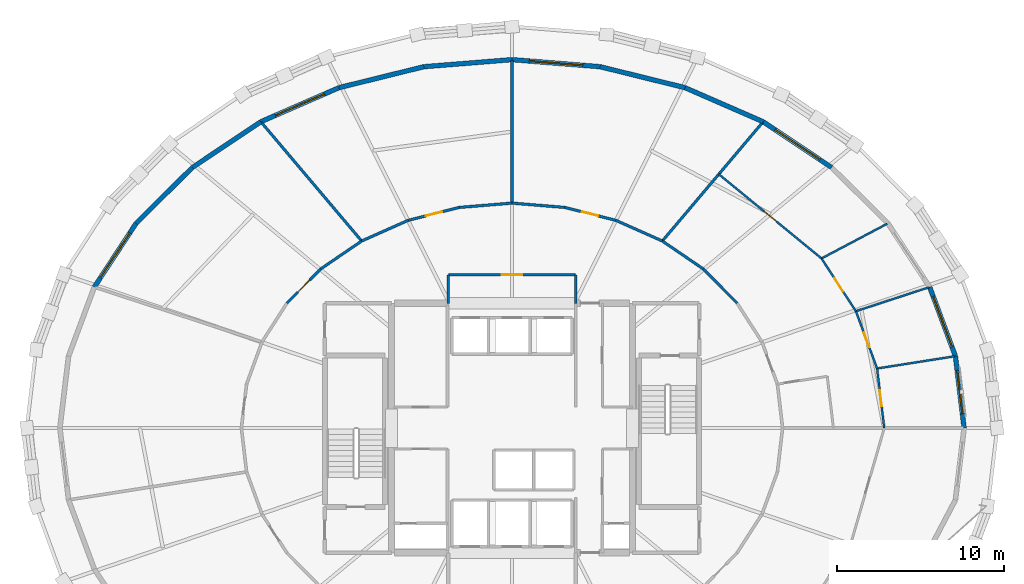
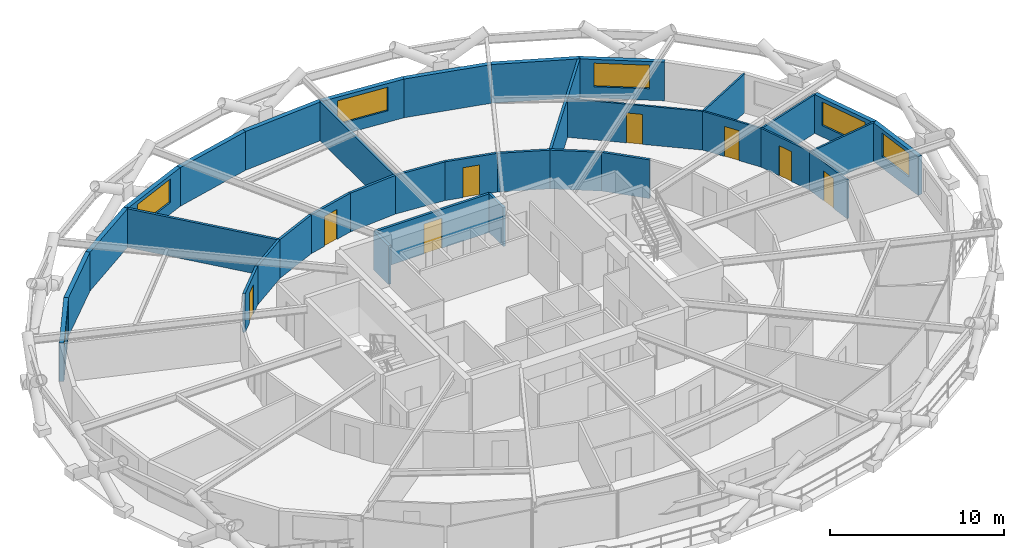
# One storey, part 18 of 21: 35 walls, 8 doors, 6 windows, 14 openings.
"""IFC4 building model written with IfcOpenShell, lengths in metres."""

from ifc_helpers import new_model, si_unit, direction, frame, frame_2d, origin, place, context, subcontext, project, spatial, rectangle, extrude, material, layer, layer_set, type_object, element, fill, save


model = new_model("IFC4")

# Units and contexts
model_context = context("Model", 3, precision=1e-05, world=origin(), true_north=direction((0.0, 1.0)))
body_context = subcontext(model_context, "Body", "Model", "MODEL_VIEW")
ifc_project = project(units=[si_unit("LENGTHUNIT", "METRE"), si_unit("AREAUNIT", "SQUARE_METRE"), si_unit("VOLUMEUNIT", "CUBIC_METRE"), si_unit("PLANEANGLEUNIT", "RADIAN"), si_unit("MASSUNIT", "GRAM", prefix="KILO")], contexts=[model_context])

# Site, building, storey
site_placement = place(None, origin())
site = spatial("IfcSite", under=ifc_project, at=site_placement, CompositionType="ELEMENT")
building_placement = place(site_placement, origin())
building = spatial("IfcBuilding", under=site, at=building_placement, Name="Veldorina Hangang Commons", CompositionType="ELEMENT")
storey_placement = place(building_placement, frame((0.0, 0.0, 73.60009765625)))
storey = spatial("IfcBuildingStorey", under=building, at=storey_placement, Name="L18", CompositionType="ELEMENT", Elevation=73.60009765625)

# Wall, opening, window
ifc_material_1 = material(Name="Stone Roman Travertine", Category="masonry")
ifc_layer_1 = layer(ifc_material_1, 0.280029296875)
ifc_layer_set_1 = layer_set([ifc_layer_1], Name="Stone Roman Travertine")
wall_type_1 = type_object("IfcWallType", Name="EW-TRAV-280", PredefinedType="STANDARD", material=ifc_layer_set_1)
wall_1_placement = place(storey_placement, frame((59.00244140625, 24.0, 0.0), z_axis=(0.0, 0.0, 1.0), x_axis=(-0.119989041881, 0.992775216164, 0.0)))
wall_1 = element("IfcWall", 1, at=wall_1_placement, inside=storey, type_object=wall_type_1, Name="L18 travertine facade wall 00", PredefinedType="STANDARD", context=body_context, shape_type="SweptSolid", body=[
    extrude(rectangle(XDim=4.32373046875, YDim=0.280029296875, at=frame_2d((2.161865234375, 0.0))), origin(), (0.0, 0.0, 1.0), 2.7099609375),
])
opening_1_placement = place(wall_1_placement, frame((0.86181640625, 0.0, 0.800048828125)))
opening_1 = element("IfcOpeningElement", 2, at=opening_1_placement, cuts=wall_1, Name="Opening W-02", PredefinedType="OPENING", context=body_context, shape_type="SweptSolid", body=[
    extrude(rectangle(XDim=2.60009765625, YDim=1.64990234375, at=frame_2d((1.300048828125, 0.824951171875))), frame((0.0, 0.14990234375, 0.0), z_axis=(0.0, -1.0, 0.0), x_axis=(1.0, 0.0, 0.0)), (0.0, 0.0, 1.0), 0.300048828125),
])
ifc_material_2 = material(Name="Glass Low-E Triple IGU", Category="glass")
window_type_1 = type_object("IfcWindowType", Name="WIN-TWR-2600", PartitioningType="SINGLE_PANEL", PredefinedType="WINDOW", material=ifc_material_2)
window_1_placement = place(opening_1_placement, origin())
window_1 = element("IfcWindow", 3, at=window_1_placement, inside=storey, type_object=window_type_1, Name="L18 facade window 00", OverallHeight=1.64990234375, OverallWidth=2.60009765625, PartitioningType="SINGLE_PANEL", PredefinedType="WINDOW", context=body_context, shape_type="SweptSolid", body=[
    extrude(rectangle(XDim=2.60009765625, YDim=1.64990234375, at=frame_2d((1.300048828125, 0.824951171875))), frame((0.0, 0.030029296875, 0.0), z_axis=(0.0, -1.0, 0.0), x_axis=(1.0, 0.0, 0.0)), (0.0, 0.0, 1.0), 0.06005859375),
])
fill(opening_1, window_1)

wall_2_placement = place(storey_placement, frame((58.483642578125, 28.29248046875, 0.0), z_axis=(0.0, 0.0, 1.0), x_axis=(-0.348899033007, 0.937160319672, 0.0)))
wall_2 = element("IfcWall", 4, at=wall_2_placement, inside=storey, type_object=wall_type_1, Name="L18 travertine facade wall 01", PredefinedType="STANDARD", context=body_context, shape_type="SweptSolid", body=[
    extrude(rectangle(XDim=4.404296875, YDim=0.280029296875, at=frame_2d((2.2021484375, 0.0))), origin(), (0.0, 0.0, 1.0), 2.7099609375),
])
opening_2_placement = place(wall_2_placement, frame((0.60205078125, 0.0, 0.800048828125)))
opening_2 = element("IfcOpeningElement", 5, at=opening_2_placement, cuts=wall_2, Name="Opening W-01", PredefinedType="OPENING", context=body_context, shape_type="SweptSolid", body=[
    extrude(rectangle(XDim=3.199951171875, YDim=1.64990234375, at=frame_2d((1.60009765625, 0.824951171875))), frame((0.0, 0.14990234375, 0.0), z_axis=(0.0, -1.0, 0.0), x_axis=(1.0, 0.0, 0.0)), (0.0, 0.0, 1.0), 0.300048828125),
])
window_type_2 = type_object("IfcWindowType", Name="WIN-TWR-3200", PartitioningType="SINGLE_PANEL", PredefinedType="WINDOW", material=ifc_material_2)
window_2_placement = place(opening_2_placement, origin())
window_2 = element("IfcWindow", 6, at=window_2_placement, inside=storey, type_object=window_type_2, Name="L18 facade window 01", OverallHeight=1.64990234375, OverallWidth=3.199951171875, PartitioningType="SINGLE_PANEL", PredefinedType="WINDOW", context=body_context, shape_type="SweptSolid", body=[
    extrude(rectangle(XDim=3.199951171875, YDim=1.64990234375, at=frame_2d((1.60009765625, 0.824951171875))), frame((0.0, 0.030029296875, 0.0), z_axis=(0.0, -1.0, 0.0), x_axis=(1.0, 0.0, 0.0)), (0.0, 0.0, 1.0), 0.06005859375),
])
fill(opening_2, window_2)

wall_3_placement = place(storey_placement, frame((51.093505859375, 39.55810546875, 0.0), z_axis=(0.0, 0.0, 1.0), x_axis=(-0.831278799502, 0.55585569845, 0.0)))
wall_3 = element("IfcWall", 7, at=wall_3_placement, inside=storey, type_object=wall_type_1, Name="L18 travertine facade wall 04", PredefinedType="STANDARD", context=body_context, shape_type="SweptSolid", body=[
    extrude(rectangle(XDim=4.92236328125, YDim=0.280029296875, at=frame_2d((2.461181640625, 0.0))), origin(), (0.0, 0.0, 1.0), 2.7099609375),
])
opening_3_placement = place(wall_3_placement, frame((0.861083984375, 0.0, 0.800048828125)))
opening_3 = element("IfcOpeningElement", 8, at=opening_3_placement, cuts=wall_3, Name="Opening W-01", PredefinedType="OPENING", context=body_context, shape_type="SweptSolid", body=[
    extrude(rectangle(XDim=3.199951171875, YDim=1.64990234375, at=frame_2d((1.60009765625, 0.824951171875))), frame((0.0, 0.14990234375, 0.0), z_axis=(0.0, -1.0, 0.0), x_axis=(1.0, 0.0, 0.0)), (0.0, 0.0, 1.0), 0.300048828125),
])
window_3_placement = place(opening_3_placement, origin())
window_3 = element("IfcWindow", 9, at=window_3_placement, inside=storey, type_object=window_type_2, Name="L18 facade window 04", OverallHeight=1.64990234375, OverallWidth=3.199951171875, PartitioningType="SINGLE_PANEL", PredefinedType="WINDOW", context=body_context, shape_type="SweptSolid", body=[
    extrude(rectangle(XDim=3.199951171875, YDim=1.64990234375, at=frame_2d((1.60009765625, 0.824951171875))), frame((0.0, 0.030029296875, 0.0), z_axis=(0.0, -1.0, 0.0), x_axis=(1.0, 0.0, 0.0)), (0.0, 0.0, 1.0), 0.06005859375),
])
fill(opening_3, window_3)

# Walls
wall_4_placement = place(storey_placement, frame((47.001708984375, 42.294189453125, 0.0), z_axis=(0.0, 0.0, 1.0), x_axis=(-0.916797710113, 0.39935192341, 0.0)))
element("IfcWall", 10, at=wall_4_placement, inside=storey, type_object=wall_type_1, Name="L18 travertine facade wall 05", PredefinedType="STANDARD", context=body_context, shape_type="SweptSolid", body=[
    extrude(rectangle(XDim=5.091796875, YDim=0.280029296875, at=frame_2d((2.5458984375, 0.0))), origin(), (0.0, 0.0, 1.0), 2.7099609375),
])
wall_5_placement = place(storey_placement, frame((42.33349609375, 44.32763671875, 0.0), z_axis=(0.0, 0.0, 1.0), x_axis=(-0.97079126279, 0.239925663675, 0.0)))
element("IfcWall", 11, at=wall_5_placement, inside=storey, type_object=wall_type_1, Name="L18 travertine facade wall 06", PredefinedType="STANDARD", context=body_context, shape_type="SweptSolid", body=[
    extrude(rectangle(XDim=5.218017578125, YDim=0.280029296875, at=frame_2d((2.60888671875, 0.0))), origin(), (0.0, 0.0, 1.0), 2.7099609375),
])

# Wall, opening, window
wall_6_placement = place(storey_placement, frame((37.267822265625, 45.57958984375, 0.0), z_axis=(0.0, 0.0, 1.0), x_axis=(-0.996793796481, 0.080013294504, 0.0)))
wall_6 = element("IfcWall", 12, at=wall_6_placement, inside=storey, type_object=wall_type_1, Name="L18 travertine facade wall 07", PredefinedType="STANDARD", context=body_context, shape_type="SweptSolid", body=[
    extrude(rectangle(XDim=5.28466796875, YDim=0.280029296875, at=frame_2d((2.642333984375, 0.0))), origin(), (0.0, 0.0, 1.0), 2.7099609375),
])
opening_4_placement = place(wall_6_placement, frame((1.04248046875, 0.0, 0.800048828125)))
opening_4 = element("IfcOpeningElement", 13, at=opening_4_placement, cuts=wall_6, Name="Opening W-01", PredefinedType="OPENING", context=body_context, shape_type="SweptSolid", body=[
    extrude(rectangle(XDim=3.199951171875, YDim=1.64990234375, at=frame_2d((1.60009765625, 0.824951171875))), frame((0.0, 0.14990234375, 0.0), z_axis=(0.0, -1.0, 0.0), x_axis=(1.0, 0.0, 0.0)), (0.0, 0.0, 1.0), 0.300048828125),
])
window_4_placement = place(opening_4_placement, origin())
window_4 = element("IfcWindow", 14, at=window_4_placement, inside=storey, type_object=window_type_2, Name="L18 facade window 07", OverallHeight=1.64990234375, OverallWidth=3.199951171875, PartitioningType="SINGLE_PANEL", PredefinedType="WINDOW", context=body_context, shape_type="SweptSolid", body=[
    extrude(rectangle(XDim=3.199951171875, YDim=1.64990234375, at=frame_2d((1.60009765625, 0.824951171875))), frame((0.0, 0.030029296875, 0.0), z_axis=(0.0, -1.0, 0.0), x_axis=(1.0, 0.0, 0.0)), (0.0, 0.0, 1.0), 0.06005859375),
])
fill(opening_4, window_4)

# Walls
wall_7_placement = place(storey_placement, frame((32.0, 46.00244140625, 0.0), z_axis=(0.0, 0.0, 1.0), x_axis=(-0.996793796481, -0.080013294504, 0.0)))
element("IfcWall", 15, at=wall_7_placement, inside=storey, type_object=wall_type_1, Name="L18 travertine facade wall 08", PredefinedType="STANDARD", context=body_context, shape_type="SweptSolid", body=[
    extrude(rectangle(XDim=5.28466796875, YDim=0.280029296875, at=frame_2d((2.642333984375, 0.0))), origin(), (0.0, 0.0, 1.0), 2.7099609375),
])
wall_8_placement = place(storey_placement, frame((26.732177734375, 45.57958984375, 0.0), z_axis=(0.0, 0.0, 1.0), x_axis=(-0.97079126279, -0.239925663675, 0.0)))
element("IfcWall", 16, at=wall_8_placement, inside=storey, type_object=wall_type_1, Name="L18 travertine facade wall 09", PredefinedType="STANDARD", context=body_context, shape_type="SweptSolid", body=[
    extrude(rectangle(XDim=5.218017578125, YDim=0.280029296875, at=frame_2d((2.60888671875, 0.0))), origin(), (0.0, 0.0, 1.0), 2.7099609375),
])

# Wall, opening, window
wall_9_placement = place(storey_placement, frame((21.66650390625, 44.32763671875, 0.0), z_axis=(0.0, 0.0, 1.0), x_axis=(-0.916797710113, -0.39935192341, 0.0)))
wall_9 = element("IfcWall", 17, at=wall_9_placement, inside=storey, type_object=wall_type_1, Name="L18 travertine facade wall 10", PredefinedType="STANDARD", context=body_context, shape_type="SweptSolid", body=[
    extrude(rectangle(XDim=5.091796875, YDim=0.280029296875, at=frame_2d((2.5458984375, 0.0))), origin(), (0.0, 0.0, 1.0), 2.7099609375),
])
opening_5_placement = place(wall_9_placement, frame((0.94580078125, 0.0, 0.800048828125)))
opening_5 = element("IfcOpeningElement", 18, at=opening_5_placement, cuts=wall_9, Name="Opening W-01", PredefinedType="OPENING", context=body_context, shape_type="SweptSolid", body=[
    extrude(rectangle(XDim=3.199951171875, YDim=1.64990234375, at=frame_2d((1.60009765625, 0.824951171875))), frame((0.0, 0.14990234375, 0.0), z_axis=(0.0, -1.0, 0.0), x_axis=(1.0, 0.0, 0.0)), (0.0, 0.0, 1.0), 0.300048828125),
])
window_5_placement = place(opening_5_placement, origin())
window_5 = element("IfcWindow", 19, at=window_5_placement, inside=storey, type_object=window_type_2, Name="L18 facade window 10", OverallHeight=1.64990234375, OverallWidth=3.199951171875, PartitioningType="SINGLE_PANEL", PredefinedType="WINDOW", context=body_context, shape_type="SweptSolid", body=[
    extrude(rectangle(XDim=3.199951171875, YDim=1.64990234375, at=frame_2d((1.60009765625, 0.824951171875))), frame((0.0, 0.030029296875, 0.0), z_axis=(0.0, -1.0, 0.0), x_axis=(1.0, 0.0, 0.0)), (0.0, 0.0, 1.0), 0.06005859375),
])
fill(opening_5, window_5)

# Walls
wall_10_placement = place(storey_placement, frame((16.998291015625, 42.294189453125, 0.0), z_axis=(0.0, 0.0, 1.0), x_axis=(-0.831278799502, -0.55585569845, 0.0)))
element("IfcWall", 20, at=wall_10_placement, inside=storey, type_object=wall_type_1, Name="L18 travertine facade wall 11", PredefinedType="STANDARD", context=body_context, shape_type="SweptSolid", body=[
    extrude(rectangle(XDim=4.92236328125, YDim=0.280029296875, at=frame_2d((2.461181640625, 0.0))), origin(), (0.0, 0.0, 1.0), 2.7099609375),
])
wall_11_placement = place(storey_placement, frame((12.906494140625, 39.55810546875, 0.0), z_axis=(0.0, 0.0, 1.0), x_axis=(-0.709630207161, -0.704574317645, 0.0)))
element("IfcWall", 21, at=wall_11_placement, inside=storey, type_object=wall_type_1, Name="L18 travertine facade wall 12", PredefinedType="STANDARD", context=body_context, shape_type="SweptSolid", body=[
    extrude(rectangle(XDim=4.732177734375, YDim=0.280029296875, at=frame_2d((2.3662109375, 0.0))), origin(), (0.0, 0.0, 1.0), 2.7099609375),
])

# Wall, opening, window
wall_12_placement = place(storey_placement, frame((9.54833984375, 36.223876953125, 0.0), z_axis=(0.0, 0.0, 1.0), x_axis=(-0.548505219405, -0.836147130765, 0.0)))
wall_12 = element("IfcWall", 22, at=wall_12_placement, inside=storey, type_object=wall_type_1, Name="L18 travertine facade wall 13", PredefinedType="STANDARD", context=body_context, shape_type="SweptSolid", body=[
    extrude(rectangle(XDim=4.54931640625, YDim=0.280029296875, at=frame_2d((2.274658203125, 0.0))), origin(), (0.0, 0.0, 1.0), 2.7099609375),
])
opening_6_placement = place(wall_12_placement, frame((0.6748046875, 0.0, 0.800048828125)))
opening_6 = element("IfcOpeningElement", 23, at=opening_6_placement, cuts=wall_12, Name="Opening W-01", PredefinedType="OPENING", context=body_context, shape_type="SweptSolid", body=[
    extrude(rectangle(XDim=3.199951171875, YDim=1.64990234375, at=frame_2d((1.60009765625, 0.824951171875))), frame((0.0, 0.14990234375, 0.0), z_axis=(0.0, -1.0, 0.0), x_axis=(1.0, 0.0, 0.0)), (0.0, 0.0, 1.0), 0.300048828125),
])
window_6_placement = place(opening_6_placement, origin())
window_6 = element("IfcWindow", 24, at=window_6_placement, inside=storey, type_object=window_type_2, Name="L18 facade window 13", OverallHeight=1.64990234375, OverallWidth=3.199951171875, PartitioningType="SINGLE_PANEL", PredefinedType="WINDOW", context=body_context, shape_type="SweptSolid", body=[
    extrude(rectangle(XDim=3.199951171875, YDim=1.64990234375, at=frame_2d((1.60009765625, 0.824951171875))), frame((0.0, 0.030029296875, 0.0), z_axis=(0.0, -1.0, 0.0), x_axis=(1.0, 0.0, 0.0)), (0.0, 0.0, 1.0), 0.06005859375),
])
fill(opening_6, window_6)

# Walls
ifc_material_3 = material(Name="Gypsum Fire-Rated Twin Stud Wall", Category="gypsum")
ifc_layer_2 = layer(ifc_material_3, 0.159912109375)
ifc_layer_set_2 = layer_set([ifc_layer_2], Name="Gypsum Fire-Rated Twin Stud Wall")
wall_type_2 = type_object("IfcWallType", Name="WL-FIRE-160", PredefinedType="SOLIDWALL", material=ifc_layer_set_2)
for number, where, z_axis, x_axis, name in (
    (25, (28.199951171875, 31.449951171875, 0.0), (0.0, 0.0, 1.0), (0.0, 1.0, 0.0), "L18 North lobby west wall 032"),
    (26, (35.800048828125, 31.449951171875, 0.0), (0.0, 0.0, 1.0), (0.0, 1.0, 0.0), "L18 North lobby east wall 033"),
):
    element("IfcWall", number, at=place(storey_placement, frame(where, z_axis=z_axis, x_axis=x_axis)), inside=storey, type_object=wall_type_2, Name=name, PredefinedType="SOLIDWALL", context=body_context, shape_type="SweptSolid", body=[
        extrude(rectangle(XDim=1.699951171875, YDim=0.159912109375, at=frame_2d((0.85009765625, 0.0))), origin(), (0.0, 0.0, 1.0), 2.7099609375),
    ])

# Wall, opening, door
wall_13_placement = place(storey_placement, frame((28.199951171875, 33.14990234375, 0.0), z_axis=(0.0, 0.0, 1.0), x_axis=(1.0, 0.0, 0.0)))
wall_13 = element("IfcWall", 27, at=wall_13_placement, inside=storey, type_object=wall_type_2, Name="L18 North lobby north wall 034", PredefinedType="SOLIDWALL", context=body_context, shape_type="SweptSolid", body=[
    extrude(rectangle(XDim=7.60009765625, YDim=0.159912109375, at=frame_2d((3.800048828125, 0.0))), origin(), (0.0, 0.0, 1.0), 2.7099609375),
])
opening_7_placement = place(wall_13_placement, frame((3.199951171875, 0.0, 0.0)))
opening_7 = element("IfcOpeningElement", 28, at=opening_7_placement, cuts=wall_13, Name="Opening D-09", PredefinedType="OPENING", context=body_context, shape_type="SweptSolid", body=[
    extrude(rectangle(XDim=1.199951171875, YDim=2.10009765625, at=frame_2d((0.60009765625, 1.050048828125))), frame((0.0, 0.08984375, 0.0), z_axis=(0.0, -1.0, 0.0), x_axis=(1.0, 0.0, 0.0)), (0.0, 0.0, 1.0), 0.179931640625),
])
ifc_material_4 = material(Name="Steel Fire-Rated Corridor Door", Category="steel")
door_type_1 = type_object("IfcDoorType", Name="DR-FIRE-1200", OperationType="SINGLE_SWING_LEFT", PredefinedType="DOOR", material=ifc_material_4)
door_1_placement = place(opening_7_placement, origin())
door_1 = element("IfcDoor", 29, at=door_1_placement, inside=storey, type_object=door_type_1, Name="L18 North lift lobby corridor door 012", OperationType="SINGLE_SWING_RIGHT", OverallHeight=2.10009765625, OverallWidth=1.199951171875, PredefinedType="DOOR", context=body_context, shape_type="SweptSolid", body=[
    extrude(rectangle(XDim=1.199951171875, YDim=2.10009765625, at=frame_2d((0.60009765625, 1.050048828125))), frame((0.0, 0.02490234375, 0.0), z_axis=(0.0, -1.0, 0.0), x_axis=(1.0, 0.0, 0.0)), (0.0, 0.0, 1.0), 0.050048828125),
])
fill(opening_7, door_1)

# Walls
wall_14_placement = place(storey_placement, frame((45.438232421875, 31.46337890625, 0.0), z_axis=(0.0, 0.0, 1.0), x_axis=(-0.702569520063, 0.711615113301, 0.0)))
element("IfcWall", 30, at=wall_14_placement, inside=storey, type_object=wall_type_2, Name="L18 Corridor outer wall 03 048", PredefinedType="SOLIDWALL", context=body_context, shape_type="SweptSolid", body=[
    extrude(rectangle(XDim=2.86083984375, YDim=0.159912109375, at=frame_2d((1.430419921875, 0.0))), origin(), (0.0, 0.0, 1.0), 2.7099609375),
])
wall_15_placement = place(storey_placement, frame((43.42822265625, 33.499267578125, 0.0), z_axis=(0.0, 0.0, 1.0), x_axis=(-0.826112340767, 0.563505457323, 0.0)))
element("IfcWall", 31, at=wall_15_placement, inside=storey, type_object=wall_type_2, Name="L18 Corridor outer wall 04 049", PredefinedType="SOLIDWALL", context=body_context, shape_type="SweptSolid", body=[
    extrude(rectangle(XDim=2.96484375, YDim=0.159912109375, at=frame_2d((1.482421875, 0.0))), origin(), (0.0, 0.0, 1.0), 2.7099609375),
])
wall_16_placement = place(storey_placement, frame((40.97900390625, 35.169921875, 0.0), z_axis=(0.0, 0.0, 1.0), x_axis=(-0.913860932409, 0.406027334321, 0.0)))
element("IfcWall", 32, at=wall_16_placement, inside=storey, type_object=wall_type_2, Name="L18 Corridor outer wall 05 050", PredefinedType="SOLIDWALL", context=body_context, shape_type="SweptSolid", body=[
    extrude(rectangle(XDim=3.0576171875, YDim=0.159912109375, at=frame_2d((1.52880859375, 0.0))), origin(), (0.0, 0.0, 1.0), 2.7099609375),
])

# Wall, opening, door
wall_17_placement = place(storey_placement, frame((38.184814453125, 36.411376953125, 0.0), z_axis=(0.0, 0.0, 1.0), x_axis=(-0.969653665365, 0.244482656326, 0.0)))
wall_17 = element("IfcWall", 33, at=wall_17_placement, inside=storey, type_object=wall_type_2, Name="L18 Corridor outer wall 06 051", PredefinedType="SOLIDWALL", context=body_context, shape_type="SweptSolid", body=[
    extrude(rectangle(XDim=3.126708984375, YDim=0.159912109375, at=frame_2d((1.5634765625, 0.0))), origin(), (0.0, 0.0, 1.0), 2.7099609375),
])
opening_8_placement = place(wall_17_placement, frame((1.0634765625, 0.0, 0.0)))
opening_8 = element("IfcOpeningElement", 34, at=opening_8_placement, cuts=wall_17, Name="Opening D-05", PredefinedType="OPENING", context=body_context, shape_type="SweptSolid", body=[
    extrude(rectangle(XDim=1.0, YDim=2.10009765625, at=frame_2d((0.5, 1.050048828125))), frame((0.0, 0.08984375, 0.0), z_axis=(0.0, -1.0, 0.0), x_axis=(1.0, 0.0, 0.0)), (0.0, 0.0, 1.0), 0.179931640625),
])
ifc_material_5 = material(Name="Timber Solid Core Acoustic", Category="wood")
door_type_2 = type_object("IfcDoorType", Name="DR-INT-1000", OperationType="SINGLE_SWING_RIGHT", PredefinedType="DOOR", material=ifc_material_5)
door_2_placement = place(opening_8_placement, origin())
door_2 = element("IfcDoor", 35, at=door_2_placement, inside=storey, type_object=door_type_2, Name="L18 Floor Study Room 4 door 033", OperationType="SINGLE_SWING_LEFT", OverallHeight=2.10009765625, OverallWidth=1.0, PredefinedType="DOOR", context=body_context, shape_type="SweptSolid", body=[
    extrude(rectangle(XDim=1.0, YDim=2.10009765625, at=frame_2d((0.5, 1.050048828125))), frame((0.0, 0.02490234375, 0.0), z_axis=(0.0, -1.0, 0.0), x_axis=(1.0, 0.0, 0.0)), (0.0, 0.0, 1.0), 0.050048828125),
])
fill(opening_8, door_2)

# Walls
for number, where, z_axis, x_axis, name in (
    (36, (35.153076171875, 37.17578125, 0.0), (0.0, 0.0, 1.0), (-0.996661331307, 0.081646743207, 0.0), "L18 Corridor outer wall 07 052"),
    (37, (32.0, 37.43408203125, 0.0), (0.0, 0.0, 1.0), (-0.996661331307, -0.081646743207, 0.0), "L18 Corridor outer wall 08 053"),
):
    element("IfcWall", number, at=place(storey_placement, frame(where, z_axis=z_axis, x_axis=x_axis)), inside=storey, type_object=wall_type_2, Name=name, PredefinedType="SOLIDWALL", context=body_context, shape_type="SweptSolid", body=[
        extrude(rectangle(XDim=3.16357421875, YDim=0.159912109375, at=frame_2d((1.581787109375, 0.0))), origin(), (0.0, 0.0, 1.0), 2.7099609375),
    ])

# Wall, opening, door
wall_18_placement = place(storey_placement, frame((28.846923828125, 37.17578125, 0.0), z_axis=(0.0, 0.0, 1.0), x_axis=(-0.969653665365, -0.244482656326, 0.0)))
wall_18 = element("IfcWall", 38, at=wall_18_placement, inside=storey, type_object=wall_type_2, Name="L18 Corridor outer wall 09 054", PredefinedType="SOLIDWALL", context=body_context, shape_type="SweptSolid", body=[
    extrude(rectangle(XDim=3.126708984375, YDim=0.159912109375, at=frame_2d((1.5634765625, 0.0))), origin(), (0.0, 0.0, 1.0), 2.7099609375),
])
opening_9_placement = place(wall_18_placement, frame((1.0634765625, 0.0, 0.0)))
opening_9 = element("IfcOpeningElement", 39, at=opening_9_placement, cuts=wall_18, Name="Opening D-05", PredefinedType="OPENING", context=body_context, shape_type="SweptSolid", body=[
    extrude(rectangle(XDim=1.0, YDim=2.10009765625, at=frame_2d((0.5, 1.050048828125))), frame((0.0, 0.08984375, 0.0), z_axis=(0.0, -1.0, 0.0), x_axis=(1.0, 0.0, 0.0)), (0.0, 0.0, 1.0), 0.179931640625),
])
door_3_placement = place(opening_9_placement, origin())
door_3 = element("IfcDoor", 40, at=door_3_placement, inside=storey, type_object=door_type_2, Name="L18 Floor Study Room 5 door 034", OperationType="SINGLE_SWING_RIGHT", OverallHeight=2.10009765625, OverallWidth=1.0, PredefinedType="DOOR", context=body_context, shape_type="SweptSolid", body=[
    extrude(rectangle(XDim=1.0, YDim=2.10009765625, at=frame_2d((0.5, 1.050048828125))), frame((0.0, 0.02490234375, 0.0), z_axis=(0.0, -1.0, 0.0), x_axis=(1.0, 0.0, 0.0)), (0.0, 0.0, 1.0), 0.050048828125),
])
fill(opening_9, door_3)

# Walls
wall_19_placement = place(storey_placement, frame((25.815185546875, 36.411376953125, 0.0), z_axis=(0.0, 0.0, 1.0), x_axis=(-0.913860932409, -0.406027334321, 0.0)))
element("IfcWall", 41, at=wall_19_placement, inside=storey, type_object=wall_type_2, Name="L18 Corridor outer wall 10 055", PredefinedType="SOLIDWALL", context=body_context, shape_type="SweptSolid", body=[
    extrude(rectangle(XDim=3.0576171875, YDim=0.159912109375, at=frame_2d((1.52880859375, 0.0))), origin(), (0.0, 0.0, 1.0), 2.7099609375),
])
wall_20_placement = place(storey_placement, frame((23.02099609375, 35.169921875, 0.0), z_axis=(0.0, 0.0, 1.0), x_axis=(-0.826112340767, -0.563505457323, 0.0)))
element("IfcWall", 42, at=wall_20_placement, inside=storey, type_object=wall_type_2, Name="L18 Corridor outer wall 11 056", PredefinedType="SOLIDWALL", context=body_context, shape_type="SweptSolid", body=[
    extrude(rectangle(XDim=2.96484375, YDim=0.159912109375, at=frame_2d((1.482421875, 0.0))), origin(), (0.0, 0.0, 1.0), 2.7099609375),
])

# Wall, opening, door
wall_21_placement = place(storey_placement, frame((20.57177734375, 33.499267578125, 0.0), z_axis=(0.0, 0.0, 1.0), x_axis=(-0.702569520063, -0.711615113301, 0.0)))
wall_21 = element("IfcWall", 43, at=wall_21_placement, inside=storey, type_object=wall_type_2, Name="L18 Corridor outer wall 12 057", PredefinedType="SOLIDWALL", context=body_context, shape_type="SweptSolid", body=[
    extrude(rectangle(XDim=2.86083984375, YDim=0.159912109375, at=frame_2d((1.430419921875, 0.0))), origin(), (0.0, 0.0, 1.0), 2.7099609375),
])
opening_10_placement = place(wall_21_placement, frame((0.930419921875, 0.0, 0.0)))
opening_10 = element("IfcOpeningElement", 44, at=opening_10_placement, cuts=wall_21, Name="Opening D-05", PredefinedType="OPENING", context=body_context, shape_type="SweptSolid", body=[
    extrude(rectangle(XDim=1.0, YDim=2.10009765625, at=frame_2d((0.5, 1.050048828125))), frame((0.0, 0.08984375, 0.0), z_axis=(0.0, -1.0, 0.0), x_axis=(1.0, 0.0, 0.0)), (0.0, 0.0, 1.0), 0.179931640625),
])
door_4_placement = place(opening_10_placement, origin())
door_4 = element("IfcDoor", 45, at=door_4_placement, inside=storey, type_object=door_type_2, Name="L18 Floor Study Room 6 door 035", OperationType="SINGLE_SWING_LEFT", OverallHeight=2.10009765625, OverallWidth=1.0, PredefinedType="DOOR", context=body_context, shape_type="SweptSolid", body=[
    extrude(rectangle(XDim=1.0, YDim=2.10009765625, at=frame_2d((0.5, 1.050048828125))), frame((0.0, 0.02490234375, 0.0), z_axis=(0.0, -1.0, 0.0), x_axis=(1.0, 0.0, 0.0)), (0.0, 0.0, 1.0), 0.050048828125),
])
fill(opening_10, door_4)

# Walls
wall_22_placement = place(storey_placement, frame((40.97900390625, 35.169921875, 0.0), z_axis=(0.0, 0.0, 1.0), x_axis=(0.645595412699, 0.763679620719, 0.0)))
element("IfcWall", 46, at=wall_22_placement, inside=storey, type_object=wall_type_2, Name="L18 Unit party wall 05 102", PredefinedType="SOLIDWALL", context=body_context, shape_type="SweptSolid", body=[
    extrude(rectangle(XDim=9.279052734375, YDim=0.159912109375, at=frame_2d((4.6396484375, 0.0))), origin(), (0.0, 0.0, 1.0), 2.7099609375),
])
wall_23_placement = place(storey_placement, frame((32.0, 37.43408203125, 0.0), z_axis=(0.0, 0.0, 1.0), x_axis=(0.0, 1.0, 0.0)))
element("IfcWall", 47, at=wall_23_placement, inside=storey, type_object=wall_type_2, Name="L18 Unit party wall 08 103", PredefinedType="SOLIDWALL", context=body_context, shape_type="SweptSolid", body=[
    extrude(rectangle(XDim=8.518310546875, YDim=0.159912109375, at=frame_2d((4.25927734375, 0.0))), origin(), (0.0, 0.0, 1.0), 2.7099609375),
])
wall_24_placement = place(storey_placement, frame((23.02099609375, 35.169921875, 0.0), z_axis=(0.0, 0.0, 1.0), x_axis=(-0.645595412699, 0.763679620719, 0.0)))
element("IfcWall", 48, at=wall_24_placement, inside=storey, type_object=wall_type_2, Name="L18 Unit party wall 11 104", PredefinedType="SOLIDWALL", context=body_context, shape_type="SweptSolid", body=[
    extrude(rectangle(XDim=9.279052734375, YDim=0.159912109375, at=frame_2d((4.6396484375, 0.0))), origin(), (0.0, 0.0, 1.0), 2.7099609375),
])

# Wall, opening, door
ifc_material_6 = material(Name="Gypsum Acoustic Stud Partition", Category="gypsum")
ifc_layer_3 = layer(ifc_material_6, 0.1201171875)
ifc_layer_set_3 = layer_set([ifc_layer_3], Name="Gypsum Acoustic Stud Partition")
wall_type_3 = type_object("IfcWallType", Name="WL-PART-120", PredefinedType="PARTITIONING", material=ifc_layer_set_3)
wall_25_placement = place(storey_placement, frame((54.232666015625, 24.0, 0.0), z_axis=(0.0, 0.0, 1.0), x_axis=(-0.11926077216, 0.992862965481, 0.0)))
wall_25 = element("IfcWall", 49, at=wall_25_placement, inside=storey, type_object=wall_type_3, Name="L18 Cluster 3 bed 1 front wall 095", PredefinedType="PARTITIONING", context=body_context, shape_type="SweptSolid", body=[
    extrude(rectangle(XDim=3.58251953125, YDim=0.1201171875, at=frame_2d((1.791259765625, 0.0))), origin(), (0.0, 0.0, 1.0), 2.7099609375),
])
opening_11_placement = place(wall_25_placement, frame((1.31640625, 0.0, 0.0)))
opening_11 = element("IfcOpeningElement", 50, at=opening_11_placement, cuts=wall_25, Name="Opening D-02", PredefinedType="OPENING", context=body_context, shape_type="SweptSolid", body=[
    extrude(rectangle(XDim=0.949951171875, YDim=2.10009765625, at=frame_2d((0.47509765625, 1.050048828125))), frame((0.0, 0.070068359375, 0.0), z_axis=(0.0, -1.0, 0.0), x_axis=(1.0, 0.0, 0.0)), (0.0, 0.0, 1.0), 0.14013671875),
])
door_type_3 = type_object("IfcDoorType", Name="DR-INT-950", OperationType="SINGLE_SWING_LEFT", PredefinedType="DOOR", material=ifc_material_5)
door_5_placement = place(opening_11_placement, origin())
door_5 = element("IfcDoor", 51, at=door_5_placement, inside=storey, type_object=door_type_3, Name="L18 Cluster 3 bed 1 door 029", OperationType="SINGLE_SWING_LEFT", OverallHeight=2.10009765625, OverallWidth=0.949951171875, PredefinedType="DOOR", context=body_context, shape_type="SweptSolid", body=[
    extrude(rectangle(XDim=0.949951171875, YDim=2.10009765625, at=frame_2d((0.47509765625, 1.050048828125))), frame((0.0, 0.02490234375, 0.0), z_axis=(0.0, -1.0, 0.0), x_axis=(1.0, 0.0, 0.0)), (0.0, 0.0, 1.0), 0.050048828125),
])
fill(opening_11, door_5)

wall_26_placement = place(storey_placement, frame((53.805419921875, 27.556884765625, 0.0), z_axis=(0.0, 0.0, 1.0), x_axis=(-0.346908777405, 0.937898875231, 0.0)))
wall_26 = element("IfcWall", 52, at=wall_26_placement, inside=storey, type_object=wall_type_3, Name="L18 Cluster 3 bed 2 front wall 096", PredefinedType="PARTITIONING", context=body_context, shape_type="SweptSolid", body=[
    extrude(rectangle(XDim=3.64697265625, YDim=0.1201171875, at=frame_2d((1.823486328125, 0.0))), origin(), (0.0, 0.0, 1.0), 2.7099609375),
])
opening_12_placement = place(wall_26_placement, frame((1.348388671875, 0.0, 0.0)))
opening_12 = element("IfcOpeningElement", 53, at=opening_12_placement, cuts=wall_26, Name="Opening D-02", PredefinedType="OPENING", context=body_context, shape_type="SweptSolid", body=[
    extrude(rectangle(XDim=0.949951171875, YDim=2.10009765625, at=frame_2d((0.47509765625, 1.050048828125))), frame((0.0, 0.070068359375, 0.0), z_axis=(0.0, -1.0, 0.0), x_axis=(1.0, 0.0, 0.0)), (0.0, 0.0, 1.0), 0.14013671875),
])
door_6_placement = place(opening_12_placement, origin())
door_6 = element("IfcDoor", 54, at=door_6_placement, inside=storey, type_object=door_type_3, Name="L18 Cluster 3 bed 2 door 030", OperationType="SINGLE_SWING_RIGHT", OverallHeight=2.10009765625, OverallWidth=0.949951171875, PredefinedType="DOOR", context=body_context, shape_type="SweptSolid", body=[
    extrude(rectangle(XDim=0.949951171875, YDim=2.10009765625, at=frame_2d((0.47509765625, 1.050048828125))), frame((0.0, 0.02490234375, 0.0), z_axis=(0.0, -1.0, 0.0), x_axis=(1.0, 0.0, 0.0)), (0.0, 0.0, 1.0), 0.050048828125),
])
fill(opening_12, door_6)

# Wall
wall_27_placement = place(storey_placement, frame((53.805419921875, 27.556884765625, 0.0), z_axis=(0.0, 0.0, 1.0), x_axis=(0.98786330909, 0.155325730492, 0.0)))
element("IfcWall", 55, at=wall_27_placement, inside=storey, type_object=wall_type_3, Name="L18 Cluster 3 bed divider 1 097", PredefinedType="PARTITIONING", context=body_context, shape_type="SweptSolid", body=[
    extrude(rectangle(XDim=4.685546875, YDim=0.1201171875, at=frame_2d((2.3427734375, 0.0))), origin(), (0.0, 0.0, 1.0), 2.7099609375),
])

# Wall, opening, door
wall_28_placement = place(storey_placement, frame((52.540283203125, 30.977294921875, 0.0), z_axis=(0.0, 0.0, 1.0), x_axis=(-0.546030238515, 0.837765467555, 0.0)))
wall_28 = element("IfcWall", 56, at=wall_28_placement, inside=storey, type_object=wall_type_3, Name="L18 Cluster 3 bed 3 front wall 098", PredefinedType="PARTITIONING", context=body_context, shape_type="SweptSolid", body=[
    extrude(rectangle(XDim=3.762451171875, YDim=0.1201171875, at=frame_2d((1.88134765625, 0.0))), origin(), (0.0, 0.0, 1.0), 2.7099609375),
])
opening_13_placement = place(wall_28_placement, frame((1.40625, 0.0, 0.0)))
opening_13 = element("IfcOpeningElement", 57, at=opening_13_placement, cuts=wall_28, Name="Opening D-02", PredefinedType="OPENING", context=body_context, shape_type="SweptSolid", body=[
    extrude(rectangle(XDim=0.949951171875, YDim=2.10009765625, at=frame_2d((0.47509765625, 1.050048828125))), frame((0.0, 0.070068359375, 0.0), z_axis=(0.0, -1.0, 0.0), x_axis=(1.0, 0.0, 0.0)), (0.0, 0.0, 1.0), 0.14013671875),
])
door_7_placement = place(opening_13_placement, origin())
door_7 = element("IfcDoor", 58, at=door_7_placement, inside=storey, type_object=door_type_3, Name="L18 Cluster 3 bed 3 door 031", OperationType="SINGLE_SWING_LEFT", OverallHeight=2.10009765625, OverallWidth=0.949951171875, PredefinedType="DOOR", context=body_context, shape_type="SweptSolid", body=[
    extrude(rectangle(XDim=0.949951171875, YDim=2.10009765625, at=frame_2d((0.47509765625, 1.050048828125))), frame((0.0, 0.02490234375, 0.0), z_axis=(0.0, -1.0, 0.0), x_axis=(1.0, 0.0, 0.0)), (0.0, 0.0, 1.0), 0.050048828125),
])
fill(opening_13, door_7)

# Wall
wall_29_placement = place(storey_placement, frame((52.540283203125, 30.977294921875, 0.0), z_axis=(0.0, 0.0, 1.0), x_axis=(0.950372809116, 0.311113361483, 0.0)))
element("IfcWall", 59, at=wall_29_placement, inside=storey, type_object=wall_type_3, Name="L18 Cluster 3 bed divider 2 099", PredefinedType="PARTITIONING", context=body_context, shape_type="SweptSolid", body=[
    extrude(rectangle(XDim=4.586669921875, YDim=0.1201171875, at=frame_2d((2.29345703125, 0.0))), origin(), (0.0, 0.0, 1.0), 2.7099609375),
])

# Wall, opening, door
wall_30_placement = place(storey_placement, frame((50.48583984375, 34.12939453125, 0.0), z_axis=(0.0, 0.0, 1.0), x_axis=(-0.773245155234, 0.634107191181, 0.0)))
wall_30 = element("IfcWall", 60, at=wall_30_placement, inside=storey, type_object=wall_type_3, Name="L18 Cluster 3 bed 4 front wall 100", PredefinedType="PARTITIONING", context=body_context, shape_type="SweptSolid", body=[
    extrude(rectangle(XDim=7.932861328125, YDim=0.1201171875, at=frame_2d((3.96630859375, 0.0))), origin(), (0.0, 0.0, 1.0), 2.7099609375),
])
opening_14_placement = place(wall_30_placement, frame((3.491455078125, 0.0, 0.0)))
opening_14 = element("IfcOpeningElement", 61, at=opening_14_placement, cuts=wall_30, Name="Opening D-02", PredefinedType="OPENING", context=body_context, shape_type="SweptSolid", body=[
    extrude(rectangle(XDim=0.949951171875, YDim=2.10009765625, at=frame_2d((0.47509765625, 1.050048828125))), frame((0.0, 0.070068359375, 0.0), z_axis=(0.0, -1.0, 0.0), x_axis=(1.0, 0.0, 0.0)), (0.0, 0.0, 1.0), 0.14013671875),
])
door_8_placement = place(opening_14_placement, origin())
door_8 = element("IfcDoor", 62, at=door_8_placement, inside=storey, type_object=door_type_3, Name="L18 Cluster 3 bed 4 door 032", OperationType="SINGLE_SWING_RIGHT", OverallHeight=2.10009765625, OverallWidth=0.949951171875, PredefinedType="DOOR", context=body_context, shape_type="SweptSolid", body=[
    extrude(rectangle(XDim=0.949951171875, YDim=2.10009765625, at=frame_2d((0.47509765625, 1.050048828125))), frame((0.0, 0.02490234375, 0.0), z_axis=(0.0, -1.0, 0.0), x_axis=(1.0, 0.0, 0.0)), (0.0, 0.0, 1.0), 0.050048828125),
])
fill(opening_14, door_8)

# Wall
wall_31_placement = place(storey_placement, frame((50.48583984375, 34.12939453125, 0.0), z_axis=(0.0, 0.0, 1.0), x_axis=(0.88426415874, 0.466987042184, 0.0)))
element("IfcWall", 63, at=wall_31_placement, inside=storey, type_object=wall_type_3, Name="L18 Cluster 3 bed divider 3 101", PredefinedType="PARTITIONING", context=body_context, shape_type="SweptSolid", body=[
    extrude(rectangle(XDim=4.434814453125, YDim=0.1201171875, at=frame_2d((2.21728515625, 0.0))), origin(), (0.0, 0.0, 1.0), 2.7099609375),
])

save(model, "model.ifc")
